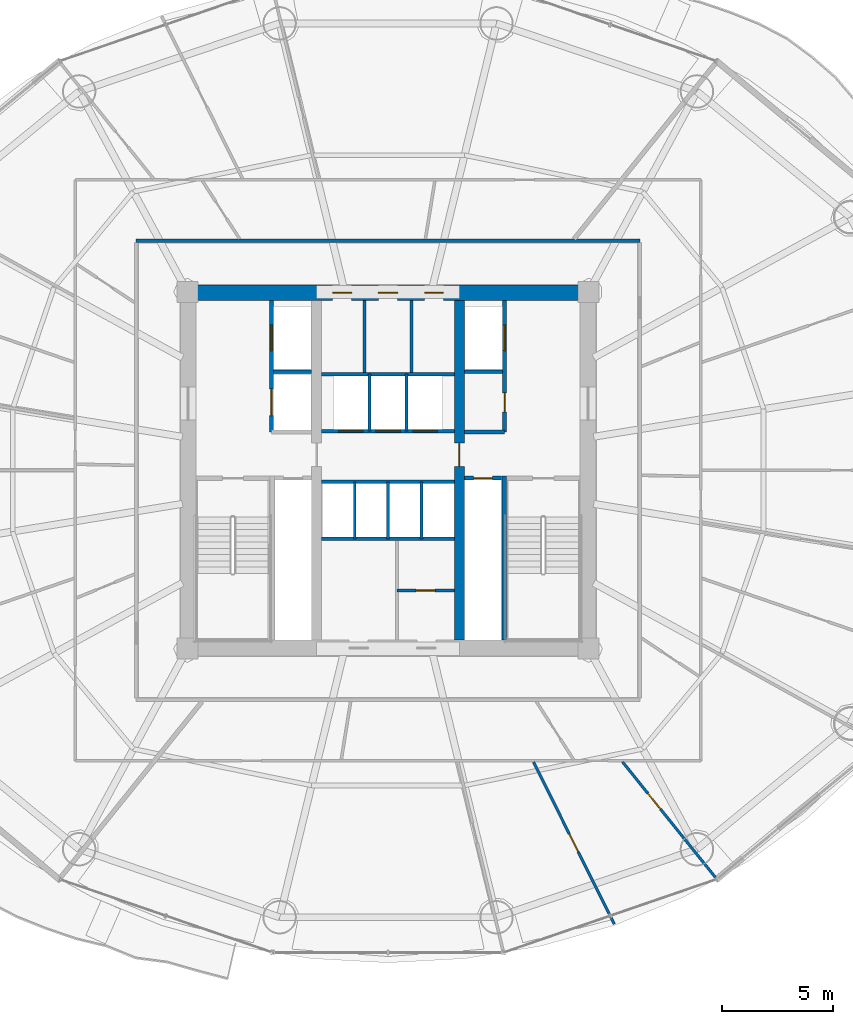
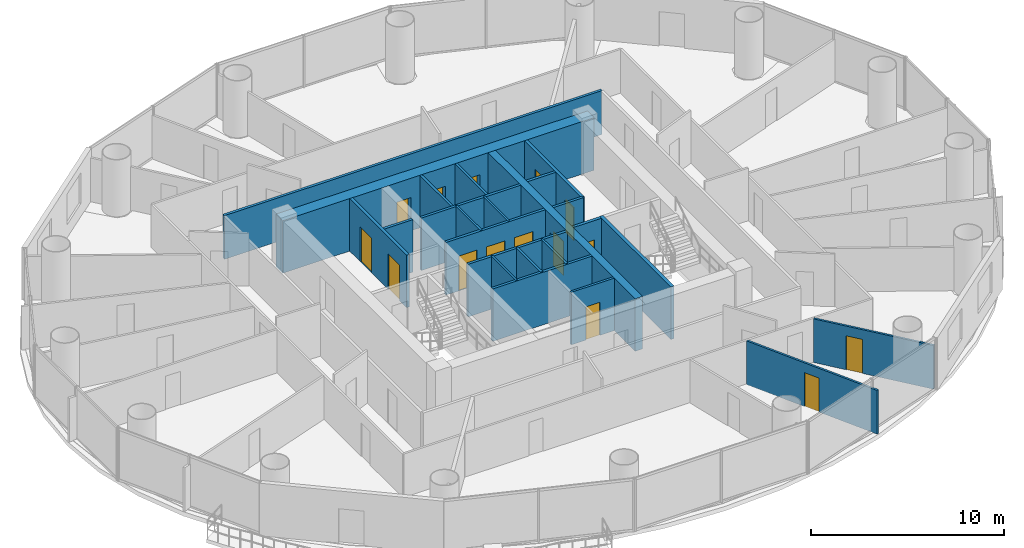
# One storey, part 23 of 29: 24 walls, 15 doors, 15 openings.
"""IFC4 building model written with IfcOpenShell, lengths in metres."""

import ifcopenshell
import ifcopenshell.guid

model = None  # the IFC model being written
_history = None  # IfcOwnerHistory: only IFC2X3 demands one
_inside = {}  # id of a spatial element -> (the spatial element, [elements in it])
_under = {}  # id of a project, library or spatial element -> (it, [spatial elements below it])
_declared = {}  # id of a project -> (the project, [libraries it declares])
_typed = {}  # id of a type object -> (the type object, [elements of that type])
_made_of = {}  # id of a material, layer set ... -> (it, [elements and type objects made of it])


def new_model(schema):
    """Start an empty IFC model of exactly this schema.

    Asked for "IFC4X3", IfcOpenShell would pick the latest addendum, in which some entities
    have other attributes; the version numbers below select the first issue.
    IFC2X3 requires an IfcOwnerHistory on every rooted entity: one is made here for all.
    """
    global model, _history
    if schema == "IFC4X3":
        model = ifcopenshell.file(schema_version=(4, 3, 0, 0))
    else:
        model = ifcopenshell.file(schema=schema)
    _inside.clear()
    _under.clear()
    _declared.clear()
    _typed.clear()
    _made_of.clear()
    _history = None
    if model.schema == "IFC2X3":
        org = make("IfcOrganization", Name="unknown")
        user = make(
            "IfcPersonAndOrganization",
            ThePerson=make("IfcPerson", FamilyName="unknown"),
            TheOrganization=org,
        )
        app = make(
            "IfcApplication",
            ApplicationDeveloper=org,
            Version="unknown",
            ApplicationFullName="unknown",
            ApplicationIdentifier="unknown",
        )
        _history = make(
            "IfcOwnerHistory",
            OwningUser=user,
            OwningApplication=app,
            ChangeAction="ADDED",
            CreationDate=0,
        )
    return model


def make(cls, **values):
    """One entity of the class cls with the attributes given. An attribute that is None is left unset."""
    return model.create_entity(
        cls, **{name: value for name, value in values.items() if value is not None}
    )


def rooted(cls, **values):
    """An entity with a GlobalId (a new one), such as an element, a storey or a relation."""
    return make(cls, GlobalId=ifcopenshell.guid.new(), OwnerHistory=_history, **values)


def si_unit(unit_type, name, prefix=None):
    """IfcSIUnit, for example si_unit("LENGTHUNIT", "METRE", prefix="MILLI")."""
    return make("IfcSIUnit", UnitType=unit_type, Prefix=prefix, Name=name)


def assignment(units):
    """IfcUnitAssignment: the units of a project."""
    return None if units is None else make("IfcUnitAssignment", Units=units)


def point(xyz):
    """IfcCartesianPoint."""
    return None if xyz is None else make("IfcCartesianPoint", Coordinates=xyz)


def direction(xyz):
    """IfcDirection."""
    return None if xyz is None else make("IfcDirection", DirectionRatios=xyz)


def frame(location, z_axis=None, x_axis=None):
    """IfcAxis2Placement3D, a coordinate frame: its origin and axes. An axis left out is left unset."""
    return make(
        "IfcAxis2Placement3D",
        Location=point(location),
        Axis=direction(z_axis),
        RefDirection=direction(x_axis),
    )


def frame_2d(location, x_axis=None):
    """IfcAxis2Placement2D, a coordinate frame in the plane: its origin and x axis."""
    return make(
        "IfcAxis2Placement2D", Location=point(location), RefDirection=direction(x_axis)
    )


def origin():
    """The frame at (0, 0, 0) with its axes left unset."""
    return frame((0.0, 0.0, 0.0))


def place(relative_to, where):
    """IfcLocalPlacement: puts the frame where relative to a parent placement (None: the world)."""
    return make(
        "IfcLocalPlacement", PlacementRelTo=relative_to, RelativePlacement=where
    )


def context(
    kind, dimensions, precision=None, world=None, true_north=None, identifier=None
):
    """IfcGeometricRepresentationContext, for example the 3D "Model" context."""
    return make(
        "IfcGeometricRepresentationContext",
        ContextIdentifier=identifier,
        ContextType=kind,
        CoordinateSpaceDimension=dimensions,
        Precision=precision,
        WorldCoordinateSystem=world,
        TrueNorth=true_north,
    )


def subcontext(parent, identifier, kind, view, scale=None):
    """IfcGeometricRepresentationSubContext, for example "Body" below "Model"."""
    return make(
        "IfcGeometricRepresentationSubContext",
        ContextIdentifier=identifier,
        ContextType=kind,
        ParentContext=parent,
        TargetScale=scale,
        TargetView=view,
    )


def project(units=None, contexts=None):
    """IfcProject with its units and contexts."""
    return rooted(
        "IfcProject",
        Name="project",
        RepresentationContexts=contexts,
        UnitsInContext=assignment(units),
    )


def spatial(cls, under=None, at=None, **own):
    """A site, building, storey or space (cls), placed at a placement, below another one or the project."""
    s = rooted(cls, ObjectPlacement=at, **own)
    if under is not None:
        _under.setdefault(under.id(), (under, []))[1].append(s)
    return s


def profile(cls, at=None, kind="AREA", **sizes):
    """A parametric profile (cls). Its sizes go by their IFC names, for example OverallWidth=200.0."""
    return make(cls, ProfileType=kind, Position=at, **sizes)


def rectangle(**sizes):
    """IfcRectangleProfileDef."""
    return profile("IfcRectangleProfileDef", **sizes)


def extrude(swept, where, along, depth):
    """IfcExtrudedAreaSolid: the profile swept, set in the frame where, extruded along a direction by depth."""
    return make(
        "IfcExtrudedAreaSolid",
        SweptArea=swept,
        Position=where,
        ExtrudedDirection=direction(along),
        Depth=depth,
    )


def shape(context_of_items, identifier, shape_type, items):
    """IfcShapeRepresentation: the items that make up one representation, for example the "Body"."""
    return make(
        "IfcShapeRepresentation",
        ContextOfItems=context_of_items,
        RepresentationIdentifier=identifier,
        RepresentationType=shape_type,
        Items=items,
    )


def source(mapping_origin, context_of_items, identifier, shape_type, items):
    """IfcRepresentationMap: a shape defined once, which mapped items show again and again."""
    return make(
        "IfcRepresentationMap",
        MappingOrigin=mapping_origin,
        MappedRepresentation=shape(context_of_items, identifier, shape_type, items),
    )


def transform(
    local_origin,
    x_axis=None,
    y_axis=None,
    z_axis=None,
    scale=None,
    scale2=None,
    scale3=None,
    uniform=True,
):
    """IfcCartesianTransformationOperator3D, or its non-uniform kind. x_axis, y_axis, z_axis: its Axis1, 2, 3."""
    if uniform:
        return make(
            "IfcCartesianTransformationOperator3D",
            Axis1=direction(x_axis),
            Axis2=direction(y_axis),
            LocalOrigin=point(local_origin),
            Scale=scale,
            Axis3=direction(z_axis),
        )
    return make(
        "IfcCartesianTransformationOperator3DnonUniform",
        Axis1=direction(x_axis),
        Axis2=direction(y_axis),
        LocalOrigin=point(local_origin),
        Scale=scale,
        Axis3=direction(z_axis),
        Scale2=scale2,
        Scale3=scale3,
    )


def mapped(mapping_source, mapping_target):
    """IfcMappedItem: shows the shape of a source again, moved by a transform."""
    return make(
        "IfcMappedItem", MappingSource=mapping_source, MappingTarget=mapping_target
    )


def material(Name=None, Category=None):
    """IfcMaterial."""
    return make("IfcMaterial", Name=Name, Category=Category)


def layer(
    of_material, thickness, ventilated=None, Name=None, Category=None, Priority=None
):
    """IfcMaterialLayer: one layer of a wall or slab, of a material (None: an air gap)."""
    return make(
        "IfcMaterialLayer",
        Material=of_material,
        LayerThickness=thickness,
        IsVentilated=ventilated,
        Name=Name,
        Category=Category,
        Priority=Priority,
    )


def layer_set(layers, Name=None):
    """IfcMaterialLayerSet."""
    return make("IfcMaterialLayerSet", MaterialLayers=layers, LayerSetName=Name)


def made_of(thing, what):
    """Note that an element or type object is made of a material, layer set ...; save() writes the relation."""
    if what is not None:
        _made_of.setdefault(what.id(), (what, []))[1].append(thing)
    return thing


def type_object(cls, material=None, **own):
    """A type object (cls), such as IfcWallType, which elements share."""
    return made_of(rooted(cls, **own), material)


def element(
    cls,
    number,
    at=None,
    inside=None,
    cuts=None,
    type_object=None,
    material=None,
    context=None,
    identifier="Body",
    shape_type=None,
    held_by="IfcProductDefinitionShape",
    body=None,
    shapes=None,
    **own,
):
    """One element of the class cls, such as IfcWall. Its Tag is "e" and its number.

    at: its placement. inside: the storey or other place that contains it. cuts: it is an
    opening in that element (IfcRelVoidsElement). A single representation is given by context,
    identifier, shape_type and body (its items); several are given by shapes. held_by: the class
    of the entity that holds the representations. save() writes the other relations.
    """
    e = rooted(cls, Tag="e%d" % number, ObjectPlacement=at, **own)
    if body is not None:
        shapes = [shape(context, identifier, shape_type, body)]
    if shapes is not None:
        e.Representation = make(held_by, Representations=shapes)
    if inside is not None:
        _inside.setdefault(inside.id(), (inside, []))[1].append(e)
    if cuts is not None:
        rooted(
            "IfcRelVoidsElement", RelatingBuildingElement=cuts, RelatedOpeningElement=e
        )
    if type_object is not None:
        _typed.setdefault(type_object.id(), (type_object, []))[1].append(e)
    return made_of(e, material)


def fill(opening, filler):
    """IfcRelFillsElement: the door or window that sits in an opening."""
    return rooted(
        "IfcRelFillsElement",
        RelatingOpeningElement=opening,
        RelatedBuildingElement=filler,
    )


def aggregate(whole, parts):
    """IfcRelAggregates: a whole, such as a stair, and the parts it consists of."""
    return rooted("IfcRelAggregates", RelatingObject=whole, RelatedObjects=parts)


def save(model, path):
    """Write the relations noted so far, then the file.

    IfcRelAggregates (storeys below a building ...), IfcRelContainedInSpatialStructure (elements
    in a storey), IfcRelDefinesByType, IfcRelAssociatesMaterial and IfcRelDeclares: one each for
    every whole, place, type object, material and project.
    """
    for whole, parts in _under.values():
        aggregate(whole, parts)
    for where, things in _inside.values():
        rooted(
            "IfcRelContainedInSpatialStructure",
            RelatedElements=things,
            RelatingStructure=where,
        )
    for kind, things in _typed.values():
        rooted("IfcRelDefinesByType", RelatedObjects=things, RelatingType=kind)
    for what, things in _made_of.values():
        rooted("IfcRelAssociatesMaterial", RelatedObjects=things, RelatingMaterial=what)
    for by, libraries in _declared.values():
        rooted("IfcRelDeclares", RelatingContext=by, RelatedDefinitions=libraries)
    model.write(path)


model = new_model("IFC4")

# Units and contexts
model_context = context("Model", 3, precision=1e-05, world=origin(), true_north=direction((-0.2419218956, 0.970295726276)))
body_context = subcontext(model_context, "Body", "Model", "MODEL_VIEW")
ifc_project = project(units=[si_unit("LENGTHUNIT", "METRE"), si_unit("AREAUNIT", "SQUARE_METRE"), si_unit("VOLUMEUNIT", "CUBIC_METRE"), si_unit("PLANEANGLEUNIT", "RADIAN"), si_unit("MASSUNIT", "GRAM", prefix="KILO")], contexts=[model_context])

# Site, building, storey
site_placement = place(None, origin())
site = spatial("IfcSite", under=ifc_project, at=site_placement, CompositionType="ELEMENT")
building_placement = place(site_placement, origin())
building = spatial("IfcBuilding", under=site, at=building_placement, Name="Cobrevalo Terracotta Tower", CompositionType="ELEMENT")
storey_placement = place(building_placement, frame((0.0, 0.0, 112.199951171875)))
storey = spatial("IfcBuildingStorey", under=building, at=storey_placement, Name="L29", CompositionType="ELEMENT", Elevation=112.199951171875)

# Wall, openings, doors
ifc_material_1 = material(Name="Concrete C60", Category="concrete")
ifc_layer_1 = layer(ifc_material_1, 0.699951171875)
ifc_layer_set_1 = layer_set([ifc_layer_1], Name="Concrete C60")
wall_type_1 = type_object("IfcWallType", Name="Core shear wall 700 mm Concrete C60", PredefinedType="SHEAR", material=ifc_layer_set_1)
wall_1_placement = place(storey_placement, frame((28.675048828125, 34.77490234375, 0.0), z_axis=(0.0, 0.0, 1.0), x_axis=(1.0, 0.0, 0.0)))
wall_1 = element("IfcWall", 1, at=wall_1_placement, inside=storey, type_object=wall_type_1, Name="L29 north core shear wall", PredefinedType="SHEAR", context=body_context, shape_type="SweptSolid", body=[
    extrude(rectangle(XDim=18.64990234375, YDim=0.699951171875, at=frame_2d((9.324951171875, 0.0))), origin(), (0.0, 0.0, 1.0), 3.324951171875),
])
opening_1_placement = place(wall_1_placement, frame((6.83740234375, 0.0, 0.0)))
opening_1 = element("IfcOpeningElement", 2, at=opening_1_placement, cuts=wall_1, Name="Opening ID-22", PredefinedType="OPENING", context=body_context, shape_type="SweptSolid", body=[
    extrude(rectangle(XDim=0.85009765625, YDim=2.10009765625, at=frame_2d((0.425048828125, 1.050048828125))), frame((0.0, 0.35986328125, 0.0), z_axis=(0.0, -1.0, 0.0), x_axis=(1.0, 0.0, 0.0)), (0.0, 0.0, 1.0), 0.719970703125),
])
opening_2_placement = place(wall_1_placement, frame((8.89501953125, 0.0, 0.0)))
opening_2 = element("IfcOpeningElement", 3, at=opening_2_placement, cuts=wall_1, Name="Opening ID-07", PredefinedType="OPENING", context=body_context, shape_type="SweptSolid", body=[
    extrude(rectangle(XDim=0.860107421875, YDim=2.10009765625, at=frame_2d((0.43017578125, 1.050048828125))), frame((0.0, 0.35986328125, 0.0), z_axis=(0.0, -1.0, 0.0), x_axis=(1.0, 0.0, 0.0)), (0.0, 0.0, 1.0), 0.719970703125),
])
opening_3_placement = place(wall_1_placement, frame((10.96240234375, 0.0, 0.0)))
opening_3 = element("IfcOpeningElement", 4, at=opening_3_placement, cuts=wall_1, Name="Opening ID-22", PredefinedType="OPENING", context=body_context, shape_type="SweptSolid", body=[
    extrude(rectangle(XDim=0.85009765625, YDim=2.10009765625, at=frame_2d((0.425048828125, 1.050048828125))), frame((0.0, 0.35986328125, 0.0), z_axis=(0.0, -1.0, 0.0), x_axis=(1.0, 0.0, 0.0)), (0.0, 0.0, 1.0), 0.719970703125),
])
ifc_material_2 = material(Name="Powder-coated steel", Category="steel")
door_type_1 = type_object("IfcDoorType", Name="Riser shaft & meter closet fire access door 850x2100 EI 60", OperationType="NOTDEFINED", PredefinedType="DOOR", material=ifc_material_2)
shared_shape_1 = source(origin(), body_context, "Body", "SweptSolid", [
    extrude(rectangle(XDim=0.85009765625, YDim=2.10009765625, at=frame_2d((0.425048828125, 1.050048828125))), frame((0.0, 0.02490234375, 0.0), z_axis=(0.0, -1.0, 0.0), x_axis=(1.0, 0.0, 0.0)), (0.0, 0.0, 1.0), 0.050048828125),
])
door_1_placement = place(opening_1_placement, frame((0.85009765625, 0.0, 0.0), z_axis=(0.0, 0.0, 1.0), x_axis=(-1.0, 0.0, 0.0)))
door_1 = element("IfcDoor", 5, at=door_1_placement, inside=storey, type_object=door_type_1, Name="L29 core north service door Housekeeping Linen Store", OperationType="SINGLE_SWING_LEFT", OverallHeight=2.10009765625, OverallWidth=0.85009765625, PredefinedType="DOOR", context=body_context, shape_type="MappedRepresentation", body=[
    mapped(shared_shape_1, transform((0.0, 0.0, 0.0), scale=1.0)),
])
fill(opening_1, door_1)
door_2_placement = place(opening_3_placement, frame((0.85009765625, 0.0, 0.0), z_axis=(0.0, 0.0, 1.0), x_axis=(-1.0, 0.0, 0.0)))
door_2 = element("IfcDoor", 6, at=door_2_placement, inside=storey, type_object=door_type_1, Name="L29 core north service door Floor BMS Mechanical Plant", OperationType="SINGLE_SWING_LEFT", OverallHeight=2.10009765625, OverallWidth=0.85009765625, PredefinedType="DOOR", context=body_context, shape_type="MappedRepresentation", body=[
    mapped(shared_shape_1, transform((0.0, 0.0, 0.0), scale=1.0)),
])
fill(opening_3, door_2)
ifc_material_3 = material(Name="Fire-rated moisture-sealed timber", Category="wood")
door_type_2 = type_object("IfcDoorType", Name="Core & podium fire-rated accessible WC door 860x2100 EI 60", OperationType="NOTDEFINED", PredefinedType="DOOR", material=ifc_material_3)
shared_shape_2 = source(origin(), body_context, "Body", "SweptSolid", [
    extrude(rectangle(XDim=0.860107421875, YDim=2.10009765625, at=frame_2d((0.43017578125, 1.050048828125))), frame((0.0, 0.02490234375, 0.0), z_axis=(0.0, -1.0, 0.0), x_axis=(1.0, 0.0, 0.0)), (0.0, 0.0, 1.0), 0.050048828125),
])
door_3_placement = place(opening_2_placement, frame((0.860107421875, 0.0, 0.0), z_axis=(0.0, 0.0, 1.0), x_axis=(-1.0, 0.0, 0.0)))
door_3 = element("IfcDoor", 7, at=door_3_placement, inside=storey, type_object=door_type_2, Name="L29 core north service door Floor Service Toilet WC", OperationType="SINGLE_SWING_RIGHT", OverallHeight=2.10009765625, OverallWidth=0.860107421875, PredefinedType="DOOR", context=body_context, shape_type="MappedRepresentation", body=[
    mapped(shared_shape_2, transform((0.0, 0.0, 0.0), scale=1.0)),
])
fill(opening_2, door_3)

# Walls
ifc_material_4 = material(Name="Gypsum board on steel stud", Category="steel")
ifc_layer_2 = layer(ifc_material_4, 0.159912109375)
ifc_layer_set_2 = layer_set([ifc_layer_2], Name="Gypsum board on steel stud")
wall_type_2 = type_object("IfcWallType", Name="Fire-rated corridor acoustic partition wall 160 mm", PredefinedType="PARTITIONING", material=ifc_layer_set_2)
for number, where, z_axis, x_axis, name in (
    (8, (32.860107421875, 31.219970703125, 0.0), (0.0, 0.0, 1.0), (1.0, 0.0, 0.0), "L29 interior partition IW-L29-FF1-M"),
    (9, (41.425048828125, 31.219970703125, 0.0), (0.0, 0.0, 1.0), (1.0, 0.0, 0.0), "L29 interior partition IW-L29-FF2-M"),
):
    element("IfcWall", number, at=place(storey_placement, frame(where, z_axis=z_axis, x_axis=x_axis)), inside=storey, type_object=wall_type_2, Name=name, PredefinedType="PARTITIONING", context=body_context, shape_type="SweptSolid", body=[
        extrude(rectangle(XDim=1.71484375, YDim=0.159912109375, at=frame_2d((0.857421875, 0.0))), origin(), (0.0, 0.0, 1.0), 3.324951171875),
    ])
wall_2_placement = place(storey_placement, frame((41.425048828125, 28.52001953125, 0.0), z_axis=(0.0, 0.0, 1.0), x_axis=(1.0, 0.0, 0.0)))
element("IfcWall", 10, at=wall_2_placement, inside=storey, type_object=wall_type_2, Name="L29 interior partition IW-L29-FF2-S", PredefinedType="PARTITIONING", context=body_context, shape_type="SweptSolid", body=[
    extrude(rectangle(XDim=1.804931640625, YDim=0.159912109375, at=frame_2d((0.90234375, 0.0))), origin(), (0.0, 0.0, 1.0), 3.324951171875),
])

# Wall, openings, doors
wall_3_placement = place(storey_placement, frame((35.02490234375, 28.56005859375, 0.0), z_axis=(0.0, 0.0, 1.0), x_axis=(1.0, 0.0, 0.0)))
wall_3 = element("IfcWall", 11, at=wall_3_placement, inside=storey, type_object=wall_type_2, Name="L29 interior partition IW-L29-LB-S", PredefinedType="PARTITIONING", context=body_context, shape_type="SweptSolid", body=[
    extrude(rectangle(XDim=5.9501953125, YDim=0.159912109375, at=frame_2d((2.97509765625, 0.0))), origin(), (0.0, 0.0, 1.0), 3.324951171875),
])
opening_4_placement = place(wall_3_placement, frame((0.760009765625, 0.0, 0.0)))
opening_4 = element("IfcOpeningElement", 12, at=opening_4_placement, cuts=wall_3, Name="Opening LD-01", PredefinedType="OPENING", context=body_context, shape_type="SweptSolid", body=[
    extrude(rectangle(XDim=1.10009765625, YDim=2.199951171875, at=frame_2d((0.550048828125, 1.10009765625))), frame((0.0, 0.08984375, 0.0), z_axis=(0.0, -1.0, 0.0), x_axis=(1.0, 0.0, 0.0)), (0.0, 0.0, 1.0), 0.179931640625),
])
opening_5_placement = place(wall_3_placement, frame((2.425048828125, 0.0, 0.0)))
opening_5 = element("IfcOpeningElement", 13, at=opening_5_placement, cuts=wall_3, Name="Opening LD-01", PredefinedType="OPENING", context=body_context, shape_type="SweptSolid", body=[
    extrude(rectangle(XDim=1.10009765625, YDim=2.199951171875, at=frame_2d((0.550048828125, 1.10009765625))), frame((0.0, 0.08984375, 0.0), z_axis=(0.0, -1.0, 0.0), x_axis=(1.0, 0.0, 0.0)), (0.0, 0.0, 1.0), 0.179931640625),
])
opening_6_placement = place(wall_3_placement, frame((4.090087890625, 0.0, 0.0)))
opening_6 = element("IfcOpeningElement", 14, at=opening_6_placement, cuts=wall_3, Name="Opening LD-01", PredefinedType="OPENING", context=body_context, shape_type="SweptSolid", body=[
    extrude(rectangle(XDim=1.10009765625, YDim=2.199951171875, at=frame_2d((0.550048828125, 1.10009765625))), frame((0.0, 0.08984375, 0.0), z_axis=(0.0, -1.0, 0.0), x_axis=(1.0, 0.0, 0.0)), (0.0, 0.0, 1.0), 0.179931640625),
])
ifc_material_5 = material(Name="Brushed stainless steel", Category="steel")
door_type_3 = type_object("IfcDoorType", Name="Passenger lift landing bi-parting sliding door 1100x2200 EI 90", OperationType="DOUBLE_DOOR_SLIDING", PredefinedType="DOOR", material=ifc_material_5)
shared_shape_3 = source(origin(), body_context, "Body", "SweptSolid", [
    extrude(rectangle(XDim=1.10009765625, YDim=2.199951171875, at=frame_2d((0.550048828125, 1.10009765625))), frame((0.0, 0.02490234375, 0.0), z_axis=(0.0, -1.0, 0.0), x_axis=(1.0, 0.0, 0.0)), (0.0, 0.0, 1.0), 0.050048828125),
])
door_4_placement = place(opening_4_placement, origin())
door_4 = element("IfcDoor", 15, at=door_4_placement, inside=storey, type_object=door_type_3, Name="L29 lift landing door PL-L1", OperationType="DOUBLE_DOOR_SLIDING", OverallHeight=2.199951171875, OverallWidth=1.10009765625, PredefinedType="DOOR", context=body_context, shape_type="MappedRepresentation", body=[
    mapped(shared_shape_3, transform((0.0, 0.0, 0.0), scale=1.0)),
])
fill(opening_4, door_4)
door_5_placement = place(opening_5_placement, origin())
door_5 = element("IfcDoor", 16, at=door_5_placement, inside=storey, type_object=door_type_3, Name="L29 lift landing door PL-L2", OperationType="DOUBLE_DOOR_SLIDING", OverallHeight=2.199951171875, OverallWidth=1.10009765625, PredefinedType="DOOR", context=body_context, shape_type="MappedRepresentation", body=[
    mapped(shared_shape_3, transform((0.0, 0.0, 0.0), scale=1.0)),
])
fill(opening_5, door_5)
door_6_placement = place(opening_6_placement, origin())
door_6 = element("IfcDoor", 17, at=door_6_placement, inside=storey, type_object=door_type_3, Name="L29 lift landing door PL-L3", OperationType="DOUBLE_DOOR_SLIDING", OverallHeight=2.199951171875, OverallWidth=1.10009765625, PredefinedType="DOOR", context=body_context, shape_type="MappedRepresentation", body=[
    mapped(shared_shape_3, transform((0.0, 0.0, 0.0), scale=1.0)),
])
fill(opening_6, door_6)

# Walls
for number, where, z_axis, x_axis, name in (
    (18, (35.02490234375, 31.1201171875, 0.0), (0.0, 0.0, 1.0), (1.0, 0.0, 0.0), "L29 interior partition IW-L29-LB-N"),
    (19, (35.02490234375, 26.280029296875, 0.0), (0.0, 0.0, 1.0), (1.0, 0.0, 0.0), "L29 interior partition IW-L29-MB-N"),
    (20, (35.02490234375, 23.719970703125, 0.0), (0.0, 0.0, 1.0), (1.0, 0.0, 0.0), "L29 interior partition IW-L29-MB-S"),
):
    element("IfcWall", number, at=place(storey_placement, frame(where, z_axis=z_axis, x_axis=x_axis)), inside=storey, type_object=wall_type_2, Name=name, PredefinedType="PARTITIONING", context=body_context, shape_type="SweptSolid", body=[
        extrude(rectangle(XDim=5.9501953125, YDim=0.159912109375, at=frame_2d((2.97509765625, 0.0))), origin(), (0.0, 0.0, 1.0), 3.324951171875),
    ])
wall_4_placement = place(storey_placement, frame((26.695068359375, 37.10498046875, 0.0), z_axis=(0.0, 0.0, 1.0), x_axis=(1.0, 0.0, 0.0)))
element("IfcWall", 21, at=wall_4_placement, inside=storey, type_object=wall_type_2, Name="L29 interior partition IW-L29-COR-N", PredefinedType="PARTITIONING", context=body_context, shape_type="SweptSolid", body=[
    extrude(rectangle(XDim=22.60986328125, YDim=0.159912109375, at=frame_2d((11.304931640625, 0.0))), origin(), (0.0, 0.0, 1.0), 2.76708984375),
])

# Wall, opening, door
ifc_layer_3 = layer(ifc_material_4, 0.179931640625)
ifc_layer_set_3 = layer_set([ifc_layer_3], Name="Gypsum board on steel stud")
wall_type_3 = type_object("IfcWallType", Name="Fire-rated shaft & lobby acoustic partition wall 180 mm", PredefinedType="PARTITIONING", material=ifc_layer_set_3)
wall_5_placement = place(storey_placement, frame((41.425048828125, 26.449951171875, 0.0), z_axis=(0.0, 0.0, 1.0), x_axis=(1.0, 0.0, 0.0)))
wall_5 = element("IfcWall", 22, at=wall_5_placement, inside=storey, type_object=wall_type_3, Name="L29 interior partition IW-L29-RSE-N", PredefinedType="PARTITIONING", context=body_context, shape_type="SweptSolid", body=[
    extrude(rectangle(XDim=1.675048828125, YDim=0.179931640625, at=frame_2d((0.83740234375, 0.0))), origin(), (0.0, 0.0, 1.0), 3.324951171875),
])
opening_7_placement = place(wall_5_placement, frame((0.41259765625, 0.0, 0.0)))
opening_7 = element("IfcOpeningElement", 23, at=opening_7_placement, cuts=wall_5, Name="Opening ID-22", PredefinedType="OPENING", context=body_context, shape_type="SweptSolid", body=[
    extrude(rectangle(XDim=0.85009765625, YDim=2.10009765625, at=frame_2d((0.425048828125, 1.050048828125))), frame((0.0, 0.10009765625, 0.0), z_axis=(0.0, -1.0, 0.0), x_axis=(1.0, 0.0, 0.0)), (0.0, 0.0, 1.0), 0.199951171875),
])
door_7_placement = place(opening_7_placement, origin())
door_7 = element("IfcDoor", 24, at=door_7_placement, inside=storey, type_object=door_type_1, Name="L29 riser access door RSE", OperationType="SINGLE_SWING_RIGHT", OverallHeight=2.10009765625, OverallWidth=0.85009765625, PredefinedType="DOOR", context=body_context, shape_type="MappedRepresentation", body=[
    mapped(shared_shape_1, transform((0.0, 0.0, 0.0), scale=1.0)),
])
fill(opening_7, door_7)

# Wall, openings, doors
wall_6_placement = place(storey_placement, frame((32.77001953125, 28.52001953125, 0.0), z_axis=(0.0, 0.0, 1.0), x_axis=(0.0, 1.0, 0.0)))
wall_6 = element("IfcWall", 25, at=wall_6_placement, inside=storey, type_object=wall_type_3, Name="L29 interior partition IW-L29-FF1-W", PredefinedType="PARTITIONING", context=body_context, shape_type="SweptSolid", body=[
    extrude(rectangle(XDim=5.905029296875, YDim=0.179931640625, at=frame_2d((2.95263671875, 0.0))), origin(), (0.0, 0.0, 1.0), 3.324951171875),
])
opening_8_placement = place(wall_6_placement, frame((3.655029296875, 0.0, 0.0)))
opening_8 = element("IfcOpeningElement", 26, at=opening_8_placement, cuts=wall_6, Name="Opening LD-02", PredefinedType="OPENING", context=body_context, shape_type="SweptSolid", body=[
    extrude(rectangle(XDim=1.14990234375, YDim=2.199951171875, at=frame_2d((0.574951171875, 1.10009765625))), frame((0.0, 0.10009765625, 0.0), z_axis=(0.0, -1.0, 0.0), x_axis=(1.0, 0.0, 0.0)), (0.0, 0.0, 1.0), 0.199951171875),
])
opening_9_placement = place(wall_6_placement, frame((0.72998046875, 0.0, 0.0)))
opening_9 = element("IfcOpeningElement", 27, at=opening_9_placement, cuts=wall_6, Name="Opening LD-03", PredefinedType="OPENING", context=body_context, shape_type="SweptSolid", body=[
    extrude(rectangle(XDim=1.199951171875, YDim=2.25, at=frame_2d((0.60009765625, 1.125))), frame((0.0, 0.10009765625, 0.0), z_axis=(0.0, -1.0, 0.0), x_axis=(1.0, 0.0, 0.0)), (0.0, 0.0, 1.0), 0.199951171875),
])
door_type_4 = type_object("IfcDoorType", Name="Firefighting lift landing bi-parting sliding door 1150x2200 EI 120", OperationType="DOUBLE_DOOR_SLIDING", PredefinedType="DOOR", material=ifc_material_5)
shared_shape_4 = source(origin(), body_context, "Body", "SweptSolid", [
    extrude(rectangle(XDim=1.14990234375, YDim=2.199951171875, at=frame_2d((0.574951171875, 1.10009765625))), frame((0.0, 0.02490234375, 0.0), z_axis=(0.0, -1.0, 0.0), x_axis=(1.0, 0.0, 0.0)), (0.0, 0.0, 1.0), 0.050048828125),
])
door_8_placement = place(opening_8_placement, origin())
door_8 = element("IfcDoor", 28, at=door_8_placement, inside=storey, type_object=door_type_4, Name="L29 lift landing door FF-1", OperationType="DOUBLE_DOOR_SLIDING", OverallHeight=2.199951171875, OverallWidth=1.14990234375, PredefinedType="DOOR", context=body_context, shape_type="MappedRepresentation", body=[
    mapped(shared_shape_4, transform((0.0, 0.0, 0.0), scale=1.0)),
])
fill(opening_8, door_8)
door_type_5 = type_object("IfcDoorType", Name="Service lift landing bi-parting sliding door 1200x2250 EI 120", OperationType="DOUBLE_DOOR_SLIDING", PredefinedType="DOOR", material=ifc_material_5)
shared_shape_5 = source(origin(), body_context, "Body", "SweptSolid", [
    extrude(rectangle(XDim=1.199951171875, YDim=2.25, at=frame_2d((0.60009765625, 1.125))), frame((0.0, 0.02490234375, 0.0), z_axis=(0.0, -1.0, 0.0), x_axis=(1.0, 0.0, 0.0)), (0.0, 0.0, 1.0), 0.050048828125),
])
door_9_placement = place(opening_9_placement, origin())
door_9 = element("IfcDoor", 29, at=door_9_placement, inside=storey, type_object=door_type_5, Name="L29 lift landing door SV-1", OperationType="DOUBLE_DOOR_SLIDING", OverallHeight=2.25, OverallWidth=1.199951171875, PredefinedType="DOOR", context=body_context, shape_type="MappedRepresentation", body=[
    mapped(shared_shape_5, transform((0.0, 0.0, 0.0), scale=1.0)),
])
fill(opening_9, door_9)

wall_7_placement = place(storey_placement, frame((43.22998046875, 28.52001953125, 0.0), z_axis=(0.0, 0.0, 1.0), x_axis=(0.0, 1.0, 0.0)))
wall_7 = element("IfcWall", 30, at=wall_7_placement, inside=storey, type_object=wall_type_3, Name="L29 interior partition IW-L29-FF2-E", PredefinedType="PARTITIONING", context=body_context, shape_type="SweptSolid", body=[
    extrude(rectangle(XDim=5.905029296875, YDim=0.179931640625, at=frame_2d((2.95263671875, 0.0))), origin(), (0.0, 0.0, 1.0), 3.324951171875),
])
opening_10_placement = place(wall_7_placement, frame((0.905029296875, 0.0, 0.0)))
opening_10 = element("IfcOpeningElement", 31, at=opening_10_placement, cuts=wall_7, Name="Opening ID-22", PredefinedType="OPENING", context=body_context, shape_type="SweptSolid", body=[
    extrude(rectangle(XDim=0.85009765625, YDim=2.10009765625, at=frame_2d((0.425048828125, 1.050048828125))), frame((0.0, 0.10009765625, 0.0), z_axis=(0.0, -1.0, 0.0), x_axis=(1.0, 0.0, 0.0)), (0.0, 0.0, 1.0), 0.199951171875),
])
opening_11_placement = place(wall_7_placement, frame((3.655029296875, 0.0, 0.0)))
opening_11 = element("IfcOpeningElement", 32, at=opening_11_placement, cuts=wall_7, Name="Opening LD-02", PredefinedType="OPENING", context=body_context, shape_type="SweptSolid", body=[
    extrude(rectangle(XDim=1.14990234375, YDim=2.199951171875, at=frame_2d((0.574951171875, 1.10009765625))), frame((0.0, 0.10009765625, 0.0), z_axis=(0.0, -1.0, 0.0), x_axis=(1.0, 0.0, 0.0)), (0.0, 0.0, 1.0), 0.199951171875),
])
door_10_placement = place(opening_10_placement, frame((0.85009765625, 0.0, 0.0), z_axis=(0.0, 0.0, 1.0), x_axis=(-1.0, 0.0, 0.0)))
door_10 = element("IfcDoor", 33, at=door_10_placement, inside=storey, type_object=door_type_1, Name="L29 housekeeping store door", OperationType="SINGLE_SWING_RIGHT", OverallHeight=2.10009765625, OverallWidth=0.85009765625, PredefinedType="DOOR", context=body_context, shape_type="MappedRepresentation", body=[
    mapped(shared_shape_1, transform((0.0, 0.0, 0.0), scale=1.0)),
])
fill(opening_10, door_10)
door_11_placement = place(opening_11_placement, origin())
door_11 = element("IfcDoor", 34, at=door_11_placement, inside=storey, type_object=door_type_4, Name="L29 lift landing door FF-2", OperationType="DOUBLE_DOOR_SLIDING", OverallHeight=2.199951171875, OverallWidth=1.14990234375, PredefinedType="DOOR", context=body_context, shape_type="MappedRepresentation", body=[
    mapped(shared_shape_4, transform((0.0, 0.0, 0.0), scale=1.0)),
])
fill(opening_11, door_11)

# Walls
ifc_material_6 = material(Name="Autoclaved aerated concrete block", Category="concrete")
ifc_layer_4 = layer(ifc_material_6, 0.1201171875)
ifc_layer_set_4 = layer_set([ifc_layer_4], Name="Autoclaved aerated concrete block")
wall_type_4 = type_object("IfcWallType", Name="Fire-rated wet-room & core service partition 120 mm", PredefinedType="PARTITIONING", material=ifc_layer_set_4)
for number, where, z_axis, x_axis, name in (
    (35, (37.169921875, 28.56005859375, 0.0), (0.0, 0.0, 1.0), (0.0, 1.0, 0.0), "L29 interior partition IW-L29-LB-D1"),
    (36, (38.830078125, 28.56005859375, 0.0), (0.0, 0.0, 1.0), (0.0, 1.0, 0.0), "L29 interior partition IW-L29-LB-D2"),
    (37, (36.5, 23.719970703125, 0.0), (0.0, 0.0, 1.0), (0.0, 1.0, 0.0), "L29 interior partition IW-L29-MB-D1"),
    (38, (39.5, 23.719970703125, 0.0), (0.0, 0.0, 1.0), (0.0, 1.0, 0.0), "L29 interior partition IW-L29-MB-D3"),
):
    element("IfcWall", number, at=place(storey_placement, frame(where, z_axis=z_axis, x_axis=x_axis)), inside=storey, type_object=wall_type_4, Name=name, PredefinedType="PARTITIONING", context=body_context, shape_type="SweptSolid", body=[
        extrude(rectangle(XDim=2.56005859375, YDim=0.1201171875, at=frame_2d((1.280029296875, 0.0))), origin(), (0.0, 0.0, 1.0), 3.324951171875),
    ])

# Wall, opening, door
ifc_material_7 = material(Name="Concrete C55", Category="concrete")
ifc_layer_5 = layer(ifc_material_7, 0.449951171875)
ifc_layer_set_5 = layer_set([ifc_layer_5], Name="Concrete C55")
wall_type_5 = type_object("IfcWallType", Name="Internal core shear web wall 450 mm Concrete C55", PredefinedType="SHEAR", material=ifc_layer_set_5)
wall_8_placement = place(storey_placement, frame((41.199951171875, 19.175048828125, 0.0), z_axis=(0.0, 0.0, 1.0), x_axis=(0.0, 1.0, 0.0)))
wall_8 = element("IfcWall", 39, at=wall_8_placement, inside=storey, type_object=wall_type_5, Name="L29 internal core shear wall WEB-E", PredefinedType="SHEAR", context=body_context, shape_type="SweptSolid", body=[
    extrude(rectangle(XDim=15.25, YDim=0.449951171875, at=frame_2d((7.625, 0.0))), origin(), (0.0, 0.0, 1.0), 3.324951171875),
])
opening_12_placement = place(wall_8_placement, frame((7.800048828125, 0.0, 0.0)))
opening_12 = element("IfcOpeningElement", 40, at=opening_12_placement, cuts=wall_8, Name="Opening ID-11", PredefinedType="OPENING", context=body_context, shape_type="SweptSolid", body=[
    extrude(rectangle(XDim=1.050048828125, YDim=2.14990234375, at=frame_2d((0.52490234375, 1.074951171875))), frame((0.0, 0.23486328125, 0.0), z_axis=(0.0, -1.0, 0.0), x_axis=(1.0, 0.0, 0.0)), (0.0, 0.0, 1.0), 0.469970703125),
])
ifc_material_8 = material(Name="Galvanized fire-rated steel", Category="steel")
door_type_6 = type_object("IfcDoorType", Name="Core concourse cross fire door 1050x2150 EI 90", OperationType="NOTDEFINED", PredefinedType="DOOR", material=ifc_material_8)
shared_shape_6 = source(origin(), body_context, "Body", "SweptSolid", [
    extrude(rectangle(XDim=1.050048828125, YDim=2.14990234375, at=frame_2d((0.52490234375, 1.074951171875))), frame((0.0, 0.02490234375, 0.0), z_axis=(0.0, -1.0, 0.0), x_axis=(1.0, 0.0, 0.0)), (0.0, 0.0, 1.0), 0.050048828125),
])
door_12_placement = place(opening_12_placement, frame((1.050048828125, 0.0, 0.0), z_axis=(0.0, 0.0, 1.0), x_axis=(-1.0, 0.0, 0.0)))
door_12 = element("IfcDoor", 41, at=door_12_placement, inside=storey, type_object=door_type_6, Name="L29 east core concourse cross door", OperationType="SINGLE_SWING_RIGHT", OverallHeight=2.14990234375, OverallWidth=1.050048828125, PredefinedType="DOOR", context=body_context, shape_type="MappedRepresentation", body=[
    mapped(shared_shape_6, transform((0.0, 0.0, 0.0), scale=1.0)),
])
fill(opening_12, door_12)

# Walls
ifc_layer_6 = layer(ifc_material_6, 0.139892578125)
ifc_layer_set_6 = layer_set([ifc_layer_6], Name="Autoclaved aerated concrete block")
wall_type_6 = type_object("IfcWallType", Name="Moisture-resistant wet-room & core service partition 140 mm", PredefinedType="PARTITIONING", material=ifc_layer_set_6)
for number, where, z_axis, x_axis, name in (
    (42, (36.949951171875, 31.199951171875, 0.0), (0.0, 0.0, 1.0), (0.0, 1.0, 0.0), "L29 interior partition IW-L29-KVN-A"),
    (43, (39.050048828125, 31.199951171875, 0.0), (0.0, 0.0, 1.0), (0.0, 1.0, 0.0), "L29 interior partition IW-L29-KVN-B"),
):
    element("IfcWall", number, at=place(storey_placement, frame(where, z_axis=z_axis, x_axis=x_axis)), inside=storey, type_object=wall_type_6, Name=name, PredefinedType="PARTITIONING", context=body_context, shape_type="SweptSolid", body=[
        extrude(rectangle(XDim=3.22509765625, YDim=0.139892578125, at=frame_2d((1.612548828125, 0.0))), origin(), (0.0, 0.0, 1.0), 3.324951171875),
    ])
wall_9_placement = place(storey_placement, frame((38.0, 23.719970703125, 0.0), z_axis=(0.0, 0.0, 1.0), x_axis=(0.0, 1.0, 0.0)))
element("IfcWall", 44, at=wall_9_placement, inside=storey, type_object=wall_type_6, Name="L29 interior partition IW-L29-MB-D2", PredefinedType="PARTITIONING", context=body_context, shape_type="SweptSolid", body=[
    extrude(rectangle(XDim=2.56005859375, YDim=0.139892578125, at=frame_2d((1.280029296875, 0.0))), origin(), (0.0, 0.0, 1.0), 3.324951171875),
])

# Wall, opening, door
wall_10_placement = place(storey_placement, frame((38.39990234375, 21.407470703125, 0.0), z_axis=(0.0, 0.0, 1.0), x_axis=(1.0, 0.0, 0.0)))
wall_10 = element("IfcWall", 45, at=wall_10_placement, inside=storey, type_object=wall_type_6, Name="L29 interior partition IW-L29-KVS-L2", PredefinedType="PARTITIONING", context=body_context, shape_type="SweptSolid", body=[
    extrude(rectangle(XDim=2.5751953125, YDim=0.139892578125, at=frame_2d((1.28759765625, 0.0))), origin(), (0.0, 0.0, 1.0), 3.324951171875),
])
opening_13_placement = place(wall_10_placement, frame((0.862548828125, 0.0, 0.0)))
opening_13 = element("IfcOpeningElement", 46, at=opening_13_placement, cuts=wall_10, Name="Opening ID-22", PredefinedType="OPENING", context=body_context, shape_type="SweptSolid", body=[
    extrude(rectangle(XDim=0.85009765625, YDim=2.10009765625, at=frame_2d((0.425048828125, 1.050048828125))), frame((0.0, 0.080078125, 0.0), z_axis=(0.0, -1.0, 0.0), x_axis=(1.0, 0.0, 0.0)), (0.0, 0.0, 1.0), 0.159912109375),
])
door_13_placement = place(opening_13_placement, origin())
door_13 = element("IfcDoor", 47, at=door_13_placement, inside=storey, type_object=door_type_1, Name="L29 core KVS-L2 inner door", OperationType="SINGLE_SWING_LEFT", OverallHeight=2.10009765625, OverallWidth=0.85009765625, PredefinedType="DOOR", context=body_context, shape_type="MappedRepresentation", body=[
    mapped(shared_shape_1, transform((0.0, 0.0, 0.0), scale=1.0)),
])
fill(opening_13, door_13)

ifc_layer_7 = layer(ifc_material_4, 0.1201171875)
ifc_layer_set_7 = layer_set([ifc_layer_7], Name="Gypsum board on steel stud")
wall_type_7 = type_object("IfcWallType", Name="Residential internal acoustic stud partition 120 mm", PredefinedType="PARTITIONING", material=ifc_layer_set_7)
wall_11_placement = place(storey_placement, frame((44.5263671875, 13.70947265625, 0.0), z_axis=(0.0, 0.0, 1.0), x_axis=(0.446179583353, -0.894943450392, 0.0)))
wall_11 = element("IfcWall", 48, at=wall_11_placement, inside=storey, type_object=wall_type_7, Name="L29 interior partition IW-L29-U2-ORAD2M1", PredefinedType="PARTITIONING", context=body_context, shape_type="SweptSolid", body=[
    extrude(rectangle(XDim=8.12451171875, YDim=0.1201171875, at=frame_2d((4.062255859375, 0.0))), origin(), (0.0, 0.0, 1.0), 2.76708984375),
])
opening_14_placement = place(wall_11_placement, frame((3.6123046875, 0.0, 0.0)))
opening_14 = element("IfcOpeningElement", 49, at=opening_14_placement, cuts=wall_11, Name="Opening ID-12", PredefinedType="OPENING", context=body_context, shape_type="SweptSolid", body=[
    extrude(rectangle(XDim=0.89990234375, YDim=2.14990234375, at=frame_2d((0.449951171875, 1.074951171875))), frame((0.0, 0.070068359375, 0.0), z_axis=(0.0, -1.0, 0.0), x_axis=(1.0, 0.0, 0.0)), (0.0, 0.0, 1.0), 0.14013671875),
])
ifc_material_9 = material(Name="Engineered timber", Category="wood")
door_type_7 = type_object("IfcDoorType", Name="Internal residence & suite timber door 900x2150", OperationType="NOTDEFINED", PredefinedType="DOOR", material=ifc_material_9)
shared_shape_7 = source(origin(), body_context, "Body", "SweptSolid", [
    extrude(rectangle(XDim=0.89990234375, YDim=2.14990234375, at=frame_2d((0.449951171875, 1.074951171875))), frame((0.0, 0.02490234375, 0.0), z_axis=(0.0, -1.0, 0.0), x_axis=(1.0, 0.0, 0.0)), (0.0, 0.0, 1.0), 0.050048828125),
])
door_14_placement = place(opening_14_placement, frame((0.89990234375, 0.0, 0.0), z_axis=(0.0, 0.0, 1.0), x_axis=(-1.0, 0.0, 0.0)))
door_14 = element("IfcDoor", 50, at=door_14_placement, inside=storey, type_object=door_type_7, Name="Flat L29B Master Bedroom internal door", OperationType="SINGLE_SWING_RIGHT", OverallHeight=2.14990234375, OverallWidth=0.89990234375, PredefinedType="DOOR", context=body_context, shape_type="MappedRepresentation", body=[
    mapped(shared_shape_7, transform((0.0, 0.0, 0.0), scale=1.0)),
])
fill(opening_14, door_14)

wall_12_placement = place(storey_placement, frame((48.52197265625, 13.716796875, 0.0), z_axis=(0.0, 0.0, 1.0), x_axis=(0.626707979732, -0.77925419995, 0.0)))
wall_12 = element("IfcWall", 51, at=wall_12_placement, inside=storey, type_object=wall_type_7, Name="L29 interior partition IW-L29-U2-ORAD2", PredefinedType="PARTITIONING", context=body_context, shape_type="SweptSolid", body=[
    extrude(rectangle(XDim=6.6787109375, YDim=0.1201171875, at=frame_2d((3.33935546875, 0.0))), origin(), (0.0, 0.0, 1.0), 2.76708984375),
])
opening_15_placement = place(wall_12_placement, frame((1.8212890625, 0.0, 0.0)))
opening_15 = element("IfcOpeningElement", 52, at=opening_15_placement, cuts=wall_12, Name="Opening ID-12", PredefinedType="OPENING", context=body_context, shape_type="SweptSolid", body=[
    extrude(rectangle(XDim=0.89990234375, YDim=2.14990234375, at=frame_2d((0.449951171875, 1.074951171875))), frame((0.0, 0.070068359375, 0.0), z_axis=(0.0, -1.0, 0.0), x_axis=(1.0, 0.0, 0.0)), (0.0, 0.0, 1.0), 0.14013671875),
])
door_15_placement = place(opening_15_placement, origin())
door_15 = element("IfcDoor", 53, at=door_15_placement, inside=storey, type_object=door_type_7, Name="Flat L29B Principal Guest Bedroom internal door", OperationType="SINGLE_SWING_LEFT", OverallHeight=2.14990234375, OverallWidth=0.89990234375, PredefinedType="DOOR", context=body_context, shape_type="MappedRepresentation", body=[
    mapped(shared_shape_7, transform((0.0, 0.0, 0.0), scale=1.0)),
])
fill(opening_15, door_15)

# Wall
ifc_material_10 = material(Name="Concrete C50", Category="concrete")
ifc_layer_8 = layer(ifc_material_10, 0.199951171875)
ifc_layer_set_8 = layer_set([ifc_layer_8], Name="Concrete C50")
wall_type_8 = type_object("IfcWallType", Name="Structural core & podium stair-shaft RC wall 200 mm Concrete C50", PredefinedType="SOLIDWALL", material=ifc_layer_set_8)
wall_13_placement = place(storey_placement, frame((43.205078125, 19.175048828125, 0.0), z_axis=(0.0, 0.0, 1.0), x_axis=(0.0, 1.0, 0.0)))
element("IfcWall", 54, at=wall_13_placement, inside=storey, type_object=wall_type_8, Name="L29 ST-2 west structural shaft wall", PredefinedType="SOLIDWALL", context=body_context, shape_type="SweptSolid", body=[
    extrude(rectangle(XDim=7.375, YDim=0.199951171875, at=frame_2d((3.6875, 0.0))), origin(), (0.0, 0.0, 1.0), 3.324951171875),
])

save(model, "model.ifc")
